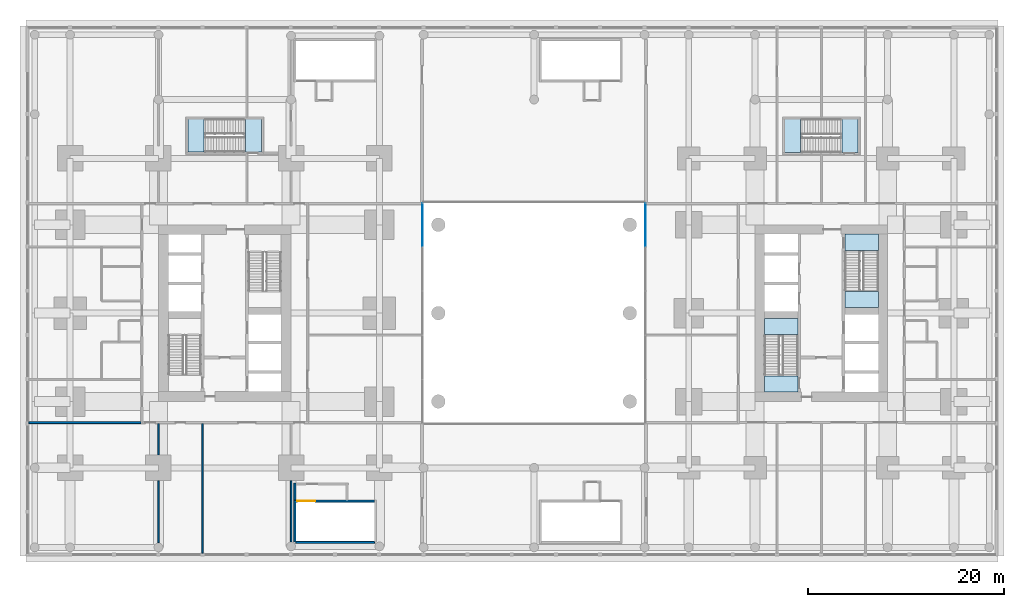
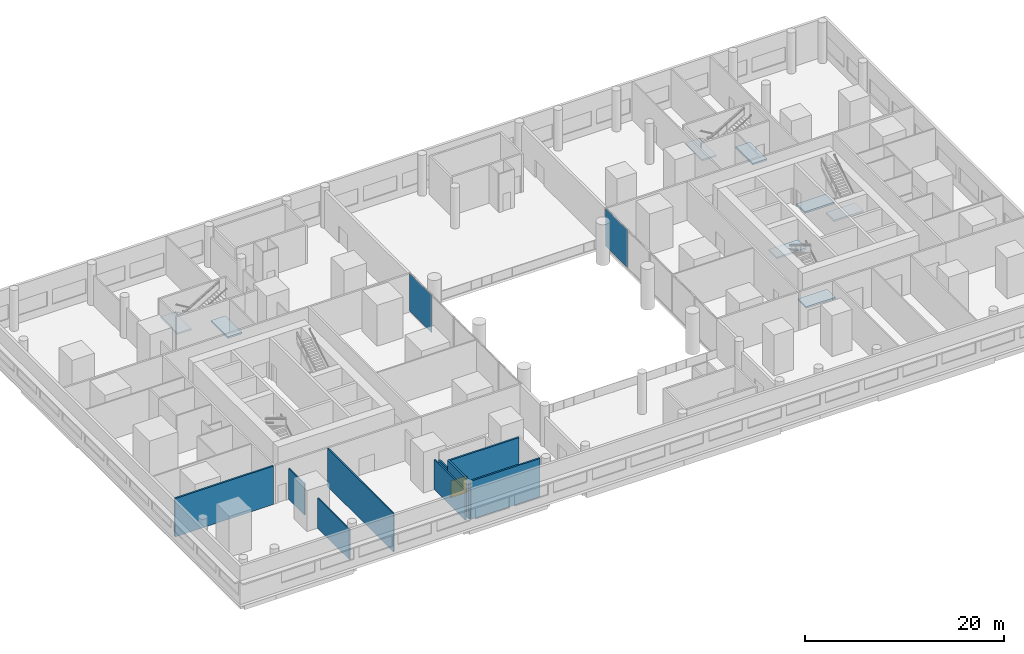
# One storey, part 8 of 20: 9 walls, 8 slabs, 2 plates, 1 door, 1 opening, 6 elements without a shape of their own.
"""IFC4 building model written with IfcOpenShell, lengths in metres."""

from ifc_helpers import new_model, si_unit, direction, frame, frame_2d, origin, origin_2d, place, context, subcontext, project, spatial, polyline, rectangle, outline, extrude, material, layer, layer_set, type_object, element, fill, aggregate, save


model = new_model("IFC4")

# Units and contexts
model_context = context("Model", 3, precision=1e-05, world=origin(), true_north=direction((0.0, 1.0)))
body_context = subcontext(model_context, "Body", "Model", "MODEL_VIEW")
ifc_project = project(units=[si_unit("LENGTHUNIT", "METRE"), si_unit("AREAUNIT", "SQUARE_METRE"), si_unit("VOLUMEUNIT", "CUBIC_METRE"), si_unit("PLANEANGLEUNIT", "RADIAN"), si_unit("MASSUNIT", "GRAM", prefix="KILO")], contexts=[model_context])

# Site, building, storey
site_placement = place(None, origin())
site = spatial("IfcSite", under=ifc_project, at=site_placement, CompositionType="ELEMENT")
building_placement = place(site_placement, origin())
building = spatial("IfcBuilding", under=site, at=building_placement, Name="Namib Vertical Campus", CompositionType="ELEMENT")
storey_placement = place(building_placement, frame((0.0, 0.0, 16.0)))
storey = spatial("IfcBuildingStorey", under=building, at=storey_placement, Name="L03", CompositionType="ELEMENT", Elevation=16.0)

# Curtain wall, plate
ifc_material_1 = material(Name="Black aluminium curtain wall", Category="aluminium")
ifc_layer_1 = layer(ifc_material_1, 0.199951171875)
ifc_layer_set_1 = layer_set([ifc_layer_1], Name="Atrium screen curtain wall CW-AT")
curtain_wall_type = type_object("IfcCurtainWallType", Name="Atrium screen curtain wall CW-AT", PredefinedType="USERDEFINED", material=ifc_layer_set_1)
curtain_wall_1_placement = place(storey_placement, origin())
curtain_wall_1 = element("IfcCurtainWall", 1, at=curtain_wall_1_placement, inside=storey, type_object=curtain_wall_type, Name="Curtain wall CW-AT atrium A L03 1", ObjectType="CURTAIN WALL", PredefinedType="USERDEFINED")
ifc_material_2 = material(Name="Dark tinted glass", Category="glass")
ifc_layer_2 = layer(ifc_material_2, 0.028076171875)
ifc_layer_set_2 = layer_set([ifc_layer_2], Name="Dark solar glass panel 28")
plate_type = type_object("IfcPlateType", Name="Dark solar glass panel 28", PredefinedType="CURTAIN_PANEL", material=ifc_layer_set_2)
plate_1_placement = place(storey_placement, frame((40.39990234375, 29.235107421875, 0.06005859375), z_axis=(0.0, 0.0, 1.0), x_axis=(0.0, 1.0, 0.0)))
plate_1 = element("IfcPlate", 2, at=plate_1_placement, type_object=plate_type, Name="CW-AT panel 5.1", PredefinedType="CURTAIN_PANEL", context=body_context, shape_type="SweptSolid", body=[
    extrude(rectangle(XDim=4.409912109375, YDim=0.028076171875, at=origin_2d()), origin(), (0.0, 0.0, 1.0), 4.580078125),
])
aggregate(curtain_wall_1, [plate_1])

curtain_wall_2_placement = place(storey_placement, origin())
curtain_wall_2 = element("IfcCurtainWall", 3, at=curtain_wall_2_placement, inside=storey, type_object=curtain_wall_type, Name="Curtain wall CW-AT atrium B L03 1", ObjectType="CURTAIN WALL", PredefinedType="USERDEFINED")
plate_2_placement = place(storey_placement, frame((63.10009765625, 29.235107421875, 0.06005859375), z_axis=(0.0, 0.0, 1.0), x_axis=(0.0, 1.0, 0.0)))
plate_2 = element("IfcPlate", 4, at=plate_2_placement, type_object=plate_type, Name="CW-AT panel 5.1", PredefinedType="CURTAIN_PANEL", context=body_context, shape_type="SweptSolid", body=[
    extrude(rectangle(XDim=4.409912109375, YDim=0.028076171875, at=origin_2d()), origin(), (0.0, 0.0, 1.0), 4.580078125),
])
aggregate(curtain_wall_2, [plate_2])

# Stair, slabs
ifc_material_3 = material(Name="Concrete C40/50 precast", Category="concrete")
stair_type_1 = type_object("IfcStairType", Name="Exit stair 5000 rise 30 risers 3400 wide", PredefinedType="HALF_TURN_STAIR", material=ifc_material_3)
stair_1_placement = place(storey_placement, origin())
stair_1 = element("IfcStair", 5, at=stair_1_placement, inside=storey, type_object=stair_type_1, Name="Exit stair B-S1 L03", PredefinedType="HALF_TURN_STAIR")
ifc_material_4 = material(Name="Concrete C40/50", Category="concrete")
ifc_layer_3 = layer(ifc_material_4, 0.199951171875)
ifc_layer_set_3 = layer_set([ifc_layer_3], Name="Concrete C40/50")
slab_type = type_object("IfcSlabType", Name="Stair landing 200", PredefinedType="LANDING", material=ifc_layer_set_3)
slab_1_placement = place(storey_placement, frame((0.0, 0.0, -0.199951171875)))
slab_1 = element("IfcSlab", 6, at=slab_1_placement, type_object=slab_type, Name="B-S1 landing 1", PredefinedType="LANDING", context=body_context, shape_type="SweptSolid", body=[
    extrude(outline(polyline([(75.199951171875, 12.199951171875), (78.60009765625, 12.199951171875), (78.60009765625, 13.85400390625), (75.199951171875, 13.85400390625), (75.199951171875, 12.199951171875)])), origin(), (0.0, 0.0, 1.0), 0.199951171875),
])
slab_2_placement = place(storey_placement, frame((0.0, 0.0, 2.300048828125)))
slab_2 = element("IfcSlab", 7, at=slab_2_placement, type_object=slab_type, Name="B-S1 landing 2", PredefinedType="LANDING", context=body_context, shape_type="SweptSolid", body=[
    extrude(outline(polyline([(75.199951171875, 18.066162109375), (78.60009765625, 18.066162109375), (78.60009765625, 19.699951171875), (75.199951171875, 19.699951171875), (75.199951171875, 18.066162109375)])), origin(), (0.0, 0.0, 1.0), 0.199951171875),
])
aggregate(stair_1, [slab_1, slab_2])

stair_2_placement = place(storey_placement, origin())
stair_2 = element("IfcStair", 8, at=stair_2_placement, inside=storey, type_object=stair_type_1, Name="Exit stair B-S2 L03", PredefinedType="HALF_TURN_STAIR")
slab_3_placement = place(storey_placement, frame((0.0, 0.0, -0.199951171875)))
slab_3 = element("IfcSlab", 9, at=slab_3_placement, type_object=slab_type, Name="B-S2 landing 1", PredefinedType="LANDING", context=body_context, shape_type="SweptSolid", body=[
    extrude(outline(polyline([(83.39990234375, 26.64599609375), (86.800048828125, 26.64599609375), (86.800048828125, 28.300048828125), (83.39990234375, 28.300048828125), (83.39990234375, 26.64599609375)])), origin(), (0.0, 0.0, 1.0), 0.199951171875),
])
slab_4_placement = place(storey_placement, frame((0.0, 0.0, 2.300048828125)))
slab_4 = element("IfcSlab", 10, at=slab_4_placement, type_object=slab_type, Name="B-S2 landing 2", PredefinedType="LANDING", context=body_context, shape_type="SweptSolid", body=[
    extrude(outline(polyline([(83.39990234375, 20.800048828125), (86.800048828125, 20.800048828125), (86.800048828125, 22.433837890625), (83.39990234375, 22.433837890625), (83.39990234375, 20.800048828125)])), origin(), (0.0, 0.0, 1.0), 0.199951171875),
])
aggregate(stair_2, [slab_3, slab_4])

ifc_material_5 = material(Name="Concrete C40/50 precast", Category="concrete")
stair_type_2 = type_object("IfcStairType", Name="Exit stair 5000 rise 30 risers 3350 wide", PredefinedType="HALF_TURN_STAIR", material=ifc_material_5)
stair_3_placement = place(storey_placement, origin())
stair_3 = element("IfcStair", 11, at=stair_3_placement, inside=storey, type_object=stair_type_2, Name="Exit stair A-S3 L03", PredefinedType="HALF_TURN_STAIR")
slab_5_placement = place(storey_placement, frame((0.0, 0.0, -0.199951171875)))
slab_5 = element("IfcSlab", 12, at=slab_5_placement, type_object=slab_type, Name="A-S3 landing 1", PredefinedType="LANDING", context=body_context, shape_type="SweptSolid", body=[
    extrude(outline(polyline([(22.34619140625, 36.64990234375), (22.34619140625, 40.0), (24.0, 40.0), (24.0, 36.64990234375), (22.34619140625, 36.64990234375)])), origin(), (0.0, 0.0, 1.0), 0.199951171875),
])
slab_6_placement = place(storey_placement, frame((0.0, 0.0, 2.300048828125)))
slab_6 = element("IfcSlab", 13, at=slab_6_placement, type_object=slab_type, Name="A-S3 landing 2", PredefinedType="LANDING", context=body_context, shape_type="SweptSolid", body=[
    extrude(outline(polyline([(16.5, 36.64990234375), (16.5, 40.0), (18.1337890625, 40.0), (18.1337890625, 36.64990234375), (16.5, 36.64990234375)])), origin(), (0.0, 0.0, 1.0), 0.199951171875),
])
aggregate(stair_3, [slab_5, slab_6])

stair_4_placement = place(storey_placement, origin())
stair_4 = element("IfcStair", 14, at=stair_4_placement, inside=storey, type_object=stair_type_1, Name="Exit stair B-S3 L03", PredefinedType="HALF_TURN_STAIR")
slab_7_placement = place(storey_placement, frame((0.0, 0.0, -0.199951171875)))
slab_7 = element("IfcSlab", 15, at=slab_7_placement, type_object=slab_type, Name="B-S3 landing 1", PredefinedType="LANDING", context=body_context, shape_type="SweptSolid", body=[
    extrude(outline(polyline([(83.09619140625, 36.60009765625), (83.09619140625, 40.0), (84.75, 40.0), (84.75, 36.60009765625), (83.09619140625, 36.60009765625)])), origin(), (0.0, 0.0, 1.0), 0.199951171875),
])
slab_8_placement = place(storey_placement, frame((0.0, 0.0, 2.300048828125)))
slab_8 = element("IfcSlab", 16, at=slab_8_placement, type_object=slab_type, Name="B-S3 landing 2", PredefinedType="LANDING", context=body_context, shape_type="SweptSolid", body=[
    extrude(outline(polyline([(77.25, 36.60009765625), (77.25, 40.0), (78.8837890625, 40.0), (78.8837890625, 36.60009765625), (77.25, 36.60009765625)])), origin(), (0.0, 0.0, 1.0), 0.199951171875),
])
aggregate(stair_4, [slab_7, slab_8])

# Walls
ifc_material_6 = material(Name="Concrete masonry", Category="masonry")
ifc_layer_4 = layer(ifc_material_6, 0.199951171875)
ifc_layer_set_4 = layer_set([ifc_layer_4], Name="Corridor wall 200")
wall_type_1 = type_object("IfcWallType", Name="Corridor wall 200", PredefinedType="SOLIDWALL", material=ifc_layer_set_4)
wall_1_placement = place(storey_placement, frame((0.300048828125, 9.10009765625, 0.0), z_axis=(0.0, 0.0, 1.0), x_axis=(1.0, 0.0, 0.0)))
element("IfcWall", 17, at=wall_1_placement, inside=storey, type_object=wall_type_1, Name="Partition A L03 BSW", PredefinedType="SOLIDWALL", context=body_context, shape_type="SweptSolid", body=[
    extrude(rectangle(XDim=11.39990234375, YDim=0.199951171875, at=frame_2d((5.699951171875, 0.0))), origin(), (0.0, 0.0, 1.0), 4.699951171875),
])
wall_2_placement = place(storey_placement, frame((27.39990234375, 1.199951171875, 0.0), z_axis=(0.0, 0.0, 1.0), x_axis=(0.0, 1.0, 0.0)))
element("IfcWall", 18, at=wall_2_placement, inside=storey, type_object=wall_type_1, Name="Stair lobby wall P-S2 L03", PredefinedType="SOLIDWALL", context=body_context, shape_type="SweptSolid", body=[
    extrude(rectangle(XDim=1.75, YDim=0.199951171875, at=frame_2d((0.875, 0.0))), origin(), (0.0, 0.0, 1.0), 3.699951171875),
])
ifc_material_7 = material(Name="Gypsum board on steel studs", Category="steel")
ifc_layer_5 = layer(ifc_material_7, 0.14990234375)
ifc_layer_set_5 = layer_set([ifc_layer_5], Name="Gypsum board on steel studs")
wall_type_2 = type_object("IfcWallType", Name="Partition 150", PredefinedType="PARTITIONING", material=ifc_layer_set_5)
wall_3_placement = place(storey_placement, frame((13.5, -3.1298828125, 0.0), z_axis=(0.0, 0.0, 1.0), x_axis=(0.0, 1.0, 0.0)))
element("IfcWall", 19, at=wall_3_placement, inside=storey, type_object=wall_type_2, Name="Partition A L03 PS1", PredefinedType="PARTITIONING", context=body_context, shape_type="SweptSolid", body=[
    extrude(rectangle(XDim=6.309814453125, YDim=0.14990234375, at=frame_2d((3.15478515625, 0.0))), origin(), (0.0, 0.0, 1.0), 3.699951171875),
])
wall_4_placement = place(storey_placement, frame((13.5, 5.820068359375, 0.0), z_axis=(0.0, 0.0, 1.0), x_axis=(0.0, 1.0, 0.0)))
element("IfcWall", 20, at=wall_4_placement, inside=storey, type_object=wall_type_2, Name="Partition A L03 PS1", PredefinedType="PARTITIONING", context=body_context, shape_type="SweptSolid", body=[
    extrude(rectangle(XDim=3.179931640625, YDim=0.14990234375, at=frame_2d((1.58984375, 0.0))), origin(), (0.0, 0.0, 1.0), 3.800048828125),
])
wall_5_placement = place(storey_placement, frame((18.0, -4.199951171875, 0.0), z_axis=(0.0, 0.0, 1.0), x_axis=(0.0, 1.0, 0.0)))
element("IfcWall", 21, at=wall_5_placement, inside=storey, type_object=wall_type_2, Name="Partition A L03 PS2", PredefinedType="PARTITIONING", context=body_context, shape_type="SweptSolid", body=[
    extrude(rectangle(XDim=13.199951171875, YDim=0.14990234375, at=frame_2d((6.60009765625, 0.0))), origin(), (0.0, 0.0, 1.0), 4.699951171875),
])
wall_6_placement = place(storey_placement, frame((27.0, -3.030029296875, 0.0), z_axis=(0.0, 0.0, 1.0), x_axis=(0.0, 1.0, 0.0)))
element("IfcWall", 22, at=wall_6_placement, inside=storey, type_object=wall_type_2, Name="Partition A L03 PS3", PredefinedType="PARTITIONING", context=body_context, shape_type="SweptSolid", body=[
    extrude(rectangle(XDim=6.2099609375, YDim=0.14990234375, at=frame_2d((3.10498046875, 0.0))), origin(), (0.0, 0.0, 1.0), 3.699951171875),
])

# Wall, opening, door
ifc_material_8 = material(Name="Concrete C40/50", Category="concrete")
ifc_layer_6 = layer(ifc_material_8, 0.199951171875)
ifc_layer_set_6 = layer_set([ifc_layer_6], Name="Concrete C40/50")
wall_type_3 = type_object("IfcWallType", Name="Stair enclosure wall RC 200", PredefinedType="SOLIDWALL", material=ifc_layer_set_6)
wall_7_placement = place(storey_placement, frame((27.5, 1.10009765625, 0.0), z_axis=(0.0, 0.0, 1.0), x_axis=(1.0, 0.0, 0.0)))
wall_7 = element("IfcWall", 23, at=wall_7_placement, inside=storey, type_object=wall_type_3, Name="Stair enclosure wall P-S2 L03 room side", PredefinedType="SOLIDWALL", context=body_context, shape_type="SweptSolid", body=[
    extrude(rectangle(XDim=8.0, YDim=0.199951171875, at=frame_2d((4.0, 0.0))), origin(), (0.0, 0.0, 1.0), 4.699951171875),
])
opening_placement = place(wall_7_placement, frame((0.14990234375, 0.0, 0.0)))
opening = element("IfcOpeningElement", 24, at=opening_placement, cuts=wall_7, Name="Opening FD2", PredefinedType="OPENING", context=body_context, shape_type="SweptSolid", body=[
    extrude(rectangle(XDim=1.800048828125, YDim=2.10009765625, at=frame_2d((0.89990234375, 1.050048828125))), frame((0.0, 0.10986328125, 0.0), z_axis=(0.0, -1.0, 0.0), x_axis=(1.0, 0.0, 0.0)), (0.0, 0.0, 1.0), 0.219970703125),
])
ifc_material_9 = material(Name="Steel fire door", Category="steel")
door_type = type_object("IfcDoorType", Name="Fire door double 1800x2100", OperationType="DOUBLE_DOOR_SINGLE_SWING", PredefinedType="DOOR", material=ifc_material_9)
door_placement = place(opening_placement, frame((1.800048828125, 0.0, 0.0), z_axis=(0.0, 0.0, 1.0), x_axis=(-1.0, 0.0, 0.0)))
door = element("IfcDoor", 25, at=door_placement, inside=storey, type_object=door_type, Name="Stair door FD2 P-S2 L03", OperationType="DOUBLE_DOOR_SINGLE_SWING", OverallHeight=2.10009765625, OverallWidth=1.800048828125, PredefinedType="DOOR", context=body_context, shape_type="SweptSolid", body=[
    extrude(rectangle(XDim=1.800048828125, YDim=2.10009765625, at=frame_2d((0.89990234375, 1.050048828125))), frame((0.0, 0.02490234375, 0.0), z_axis=(0.0, -1.0, 0.0), x_axis=(1.0, 0.0, 0.0)), (0.0, 0.0, 1.0), 0.050048828125),
])
fill(opening, door)

# Walls
wall_8_placement = place(storey_placement, frame((27.5, -3.10009765625, 0.0), z_axis=(0.0, 0.0, 1.0), x_axis=(1.0, 0.0, 0.0)))
element("IfcWall", 26, at=wall_8_placement, inside=storey, type_object=wall_type_3, Name="Stair enclosure wall P-S2 L03 facade side", PredefinedType="SOLIDWALL", context=body_context, shape_type="SweptSolid", body=[
    extrude(rectangle(XDim=8.0, YDim=0.199951171875, at=frame_2d((4.0, 0.0))), origin(), (0.0, 0.0, 1.0), 4.699951171875),
])
wall_9_placement = place(storey_placement, frame((27.39990234375, -3.030029296875, 0.0), z_axis=(0.0, 0.0, 1.0), x_axis=(0.0, 1.0, 0.0)))
element("IfcWall", 27, at=wall_9_placement, inside=storey, type_object=wall_type_3, Name="Stair enclosure wall P-S2 L03 W", PredefinedType="SOLIDWALL", context=body_context, shape_type="SweptSolid", body=[
    extrude(rectangle(XDim=4.22998046875, YDim=0.199951171875, at=frame_2d((2.114990234375, 0.0))), origin(), (0.0, 0.0, 1.0), 4.699951171875),
])

save(model, "model.ifc")
